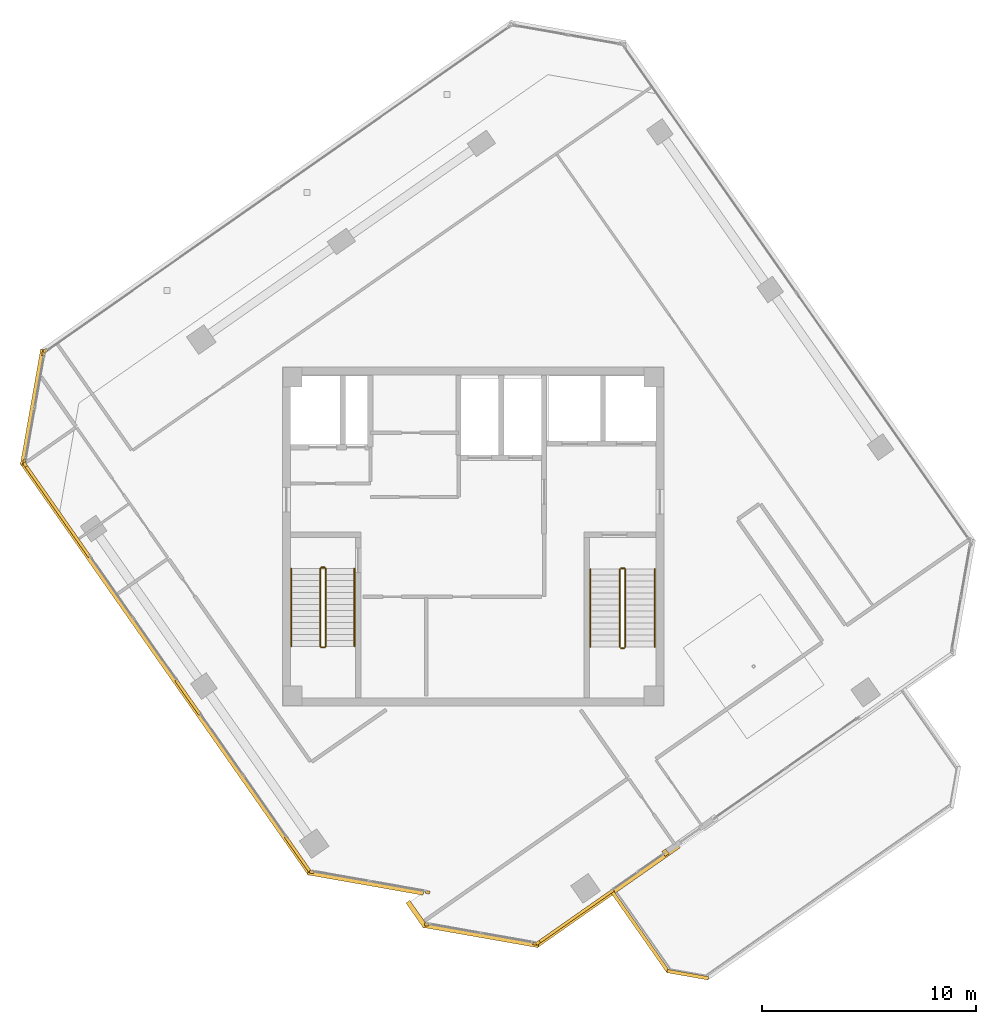
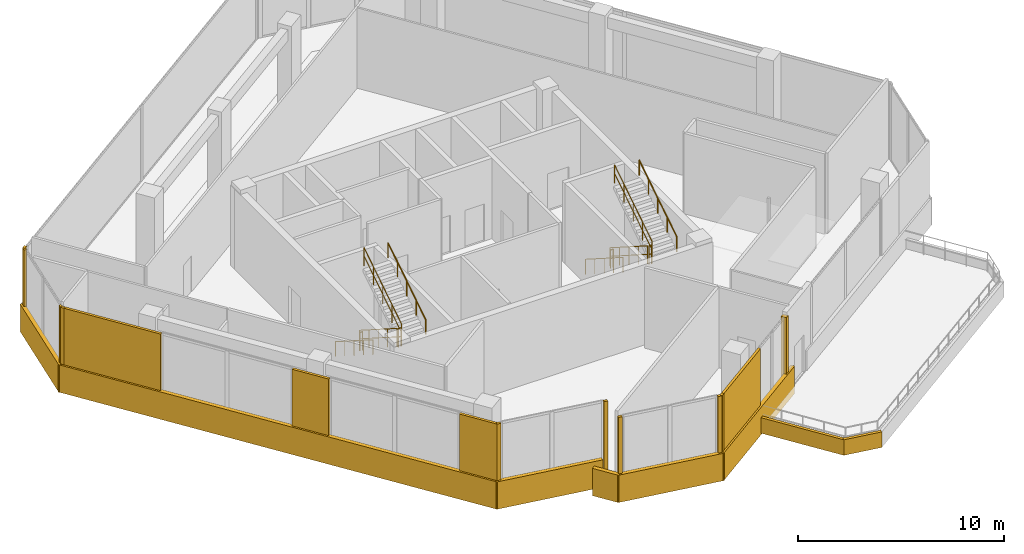
# One storey, part 14 of 16: 22 coverings, 12 railings.
"""IFC4 building model written with IfcOpenShell, lengths in metres."""

from ifc_helpers import new_model, si_unit, direction, frame, origin, origin_2d, place, context, subcontext, project, spatial, rectangle, circle, extrude, source, transform, mapped, material, layer, layer_set, type_object, element, save


model = new_model("IFC4")

# Units and contexts
model_context = context("Model", 3, precision=1e-05, world=origin(), true_north=direction((0.0, 1.0)))
body_context = subcontext(model_context, "Body", "Model", "MODEL_VIEW")
ifc_project = project(units=[si_unit("LENGTHUNIT", "METRE"), si_unit("AREAUNIT", "SQUARE_METRE"), si_unit("VOLUMEUNIT", "CUBIC_METRE"), si_unit("PLANEANGLEUNIT", "RADIAN"), si_unit("MASSUNIT", "GRAM", prefix="KILO")], contexts=[model_context])

# Site, building, storey
site_placement = place(None, origin())
site = spatial("IfcSite", under=ifc_project, at=site_placement, CompositionType="ELEMENT")
building_placement = place(site_placement, origin())
building = spatial("IfcBuilding", under=site, at=building_placement, Name="Torre Montelarca", CompositionType="ELEMENT")
storey_placement = place(building_placement, frame((0.0, 0.0, 293.800048828125)))
storey = spatial("IfcBuildingStorey", under=building, at=storey_placement, Name="L66", CompositionType="ELEMENT", Elevation=293.800048828125)

# Railings
ifc_material_1 = material(Name="Powder-coated steel ASTM A500 Grade C", Category="steel")
railing_type_1 = type_object("IfcRailingType", Name="RL-GUARD-1100", PredefinedType="BALUSTRADE", material=ifc_material_1)
railing_1_placement = place(storey_placement, frame((10.85009765625, 30.5, 0.178466796875)))
element("IfcRailing", 1, at=railing_1_placement, inside=storey, type_object=railing_type_1, Name="L66 ST1 stair guard 1", PredefinedType="BALUSTRADE", context=body_context, shape_type="SweptSolid", body=[
    extrude(circle(Radius=0.02392578125, at=origin_2d()), frame((0.0, 0.0, 1.076171875), z_axis=(0.0, -0.843111507901, 0.53773877045), x_axis=(1.0, 0.0, 0.0)), (0.0, 0.0, 1.0), 4.317138671875),
    extrude(circle(Radius=0.02099609375, at=origin_2d()), frame((0.0, 0.0, 0.572021484375), z_axis=(0.0, -0.843111507901, 0.53773877045), x_axis=(1.0, 0.0, 0.0)), (0.0, 0.0, 1.0), 4.317138671875),
    extrude(circle(Radius=0.02099609375, at=origin_2d()), origin(), (0.0, 0.0, 1.0), 1.052001953125),
    extrude(circle(Radius=0.02099609375, at=origin_2d()), frame((0.0, -0.909912109375, 0.580322265625)), (0.0, 0.0, 1.0), 1.052001953125),
    extrude(circle(Radius=0.02099609375, at=origin_2d()), frame((0.0, -1.81982421875, 1.16064453125)), (0.0, 0.0, 1.0), 1.052001953125),
    extrude(circle(Radius=0.02099609375, at=origin_2d()), frame((0.0, -2.72998046875, 1.7412109375)), (0.0, 0.0, 1.0), 1.052001953125),
    extrude(circle(Radius=0.02099609375, at=origin_2d()), frame((0.0, -3.639892578125, 2.321533203125)), (0.0, 0.0, 1.0), 1.052001953125),
])
railing_2_placement = place(storey_placement, frame((10.89990234375, 26.81005859375, 2.5)))
element("IfcRailing", 2, at=railing_2_placement, inside=storey, type_object=railing_type_1, Name="L66 ST1 stair guard 2", PredefinedType="BALUSTRADE", context=body_context, shape_type="SweptSolid", body=[
    extrude(circle(Radius=0.02392578125, at=origin_2d()), frame((0.0, 0.0, 1.076171875), z_axis=(1.0, 0.0, 0.0), x_axis=(0.0, 1.0, 0.0)), (0.0, 0.0, 1.0), 0.150146484375),
    extrude(circle(Radius=0.02099609375, at=origin_2d()), frame((0.0, 0.0, 0.572021484375), z_axis=(1.0, 0.0, 0.0), x_axis=(0.0, 1.0, 0.0)), (0.0, 0.0, 1.0), 0.150146484375),
    extrude(circle(Radius=0.02099609375, at=origin_2d()), origin(), (0.0, 0.0, 1.0), 1.052001953125),
    extrude(circle(Radius=0.02099609375, at=origin_2d()), frame((0.150146484375, 0.0, 0.0)), (0.0, 0.0, 1.0), 1.052001953125),
])
railing_3_placement = place(storey_placement, frame((11.10009765625, 26.860107421875, 2.678466796875)))
element("IfcRailing", 3, at=railing_3_placement, inside=storey, type_object=railing_type_1, Name="L66 ST1 stair guard 3", PredefinedType="BALUSTRADE", context=body_context, shape_type="SweptSolid", body=[
    extrude(circle(Radius=0.02392578125, at=origin_2d()), frame((0.0, 0.0, 1.076171875), z_axis=(0.0, 0.843111507901, 0.53773877045), x_axis=(-1.0, 0.0, 0.0)), (0.0, 0.0, 1.0), 4.317138671875),
    extrude(circle(Radius=0.02099609375, at=origin_2d()), frame((0.0, 0.0, 0.572021484375), z_axis=(0.0, 0.843111507901, 0.53773877045), x_axis=(-1.0, 0.0, 0.0)), (0.0, 0.0, 1.0), 4.317138671875),
    extrude(circle(Radius=0.02099609375, at=origin_2d()), origin(), (0.0, 0.0, 1.0), 1.052001953125),
    extrude(circle(Radius=0.02099609375, at=origin_2d()), frame((0.0, 0.909912109375, 0.580322265625)), (0.0, 0.0, 1.0), 1.052001953125),
    extrude(circle(Radius=0.02099609375, at=origin_2d()), frame((0.0, 1.81982421875, 1.16064453125)), (0.0, 0.0, 1.0), 1.052001953125),
    extrude(circle(Radius=0.02099609375, at=origin_2d()), frame((0.0, 2.72998046875, 1.7412109375)), (0.0, 0.0, 1.0), 1.052001953125),
    extrude(circle(Radius=0.02099609375, at=origin_2d()), frame((0.0, 3.639892578125, 2.321533203125)), (0.0, 0.0, 1.0), 1.052001953125),
])
railing_4_placement = place(storey_placement, frame((10.89990234375, 30.550048828125, 0.0)))
element("IfcRailing", 4, at=railing_4_placement, inside=storey, type_object=railing_type_1, Name="L66 ST1 stair guard 4", PredefinedType="BALUSTRADE", context=body_context, shape_type="SweptSolid", body=[
    extrude(circle(Radius=0.02392578125, at=origin_2d()), frame((0.0, 0.0, 1.076171875), z_axis=(1.0, 0.0, 0.0), x_axis=(0.0, 1.0, 0.0)), (0.0, 0.0, 1.0), 0.150146484375),
    extrude(circle(Radius=0.02099609375, at=origin_2d()), frame((0.0, 0.0, 0.572021484375), z_axis=(1.0, 0.0, 0.0), x_axis=(0.0, 1.0, 0.0)), (0.0, 0.0, 1.0), 0.150146484375),
    extrude(circle(Radius=0.02099609375, at=origin_2d()), origin(), (0.0, 0.0, 1.0), 1.052001953125),
    extrude(circle(Radius=0.02099609375, at=origin_2d()), frame((0.150146484375, 0.0, 0.0)), (0.0, 0.0, 1.0), 1.052001953125),
])
railing_5_placement = place(storey_placement, frame((24.8701171875, 30.469970703125, 0.178466796875)))
element("IfcRailing", 5, at=railing_5_placement, inside=storey, type_object=railing_type_1, Name="L66 ST2 stair guard 1", PredefinedType="BALUSTRADE", context=body_context, shape_type="SweptSolid", body=[
    extrude(circle(Radius=0.02392578125, at=origin_2d()), frame((0.0, 0.0, 1.076171875), z_axis=(0.0, -0.843111507901, 0.53773877045), x_axis=(1.0, 0.0, 0.0)), (0.0, 0.0, 1.0), 4.317138671875),
    extrude(circle(Radius=0.02099609375, at=origin_2d()), frame((0.0, 0.0, 0.572021484375), z_axis=(0.0, -0.843111507901, 0.53773877045), x_axis=(1.0, 0.0, 0.0)), (0.0, 0.0, 1.0), 4.317138671875),
    extrude(circle(Radius=0.02099609375, at=origin_2d()), origin(), (0.0, 0.0, 1.0), 1.052001953125),
    extrude(circle(Radius=0.02099609375, at=origin_2d()), frame((0.0, -0.909912109375, 0.580322265625)), (0.0, 0.0, 1.0), 1.052001953125),
    extrude(circle(Radius=0.02099609375, at=origin_2d()), frame((0.0, -1.81982421875, 1.16064453125)), (0.0, 0.0, 1.0), 1.052001953125),
    extrude(circle(Radius=0.02099609375, at=origin_2d()), frame((0.0, -2.72998046875, 1.7412109375)), (0.0, 0.0, 1.0), 1.052001953125),
    extrude(circle(Radius=0.02099609375, at=origin_2d()), frame((0.0, -3.639892578125, 2.321533203125)), (0.0, 0.0, 1.0), 1.052001953125),
])
railing_6_placement = place(storey_placement, frame((24.919921875, 26.780029296875, 2.5)))
element("IfcRailing", 6, at=railing_6_placement, inside=storey, type_object=railing_type_1, Name="L66 ST2 stair guard 2", PredefinedType="BALUSTRADE", context=body_context, shape_type="SweptSolid", body=[
    extrude(circle(Radius=0.02392578125, at=origin_2d()), frame((0.0, 0.0, 1.076171875), z_axis=(1.0, 0.0, 0.0), x_axis=(0.0, 1.0, 0.0)), (0.0, 0.0, 1.0), 0.150146484375),
    extrude(circle(Radius=0.02099609375, at=origin_2d()), frame((0.0, 0.0, 0.572021484375), z_axis=(1.0, 0.0, 0.0), x_axis=(0.0, 1.0, 0.0)), (0.0, 0.0, 1.0), 0.150146484375),
    extrude(circle(Radius=0.02099609375, at=origin_2d()), origin(), (0.0, 0.0, 1.0), 1.052001953125),
    extrude(circle(Radius=0.02099609375, at=origin_2d()), frame((0.150146484375, 0.0, 0.0)), (0.0, 0.0, 1.0), 1.052001953125),
])
railing_7_placement = place(storey_placement, frame((25.1201171875, 26.830078125, 2.678466796875)))
element("IfcRailing", 7, at=railing_7_placement, inside=storey, type_object=railing_type_1, Name="L66 ST2 stair guard 3", PredefinedType="BALUSTRADE", context=body_context, shape_type="SweptSolid", body=[
    extrude(circle(Radius=0.02392578125, at=origin_2d()), frame((0.0, 0.0, 1.076171875), z_axis=(0.0, 0.843111507901, 0.53773877045), x_axis=(-1.0, 0.0, 0.0)), (0.0, 0.0, 1.0), 4.317138671875),
    extrude(circle(Radius=0.02099609375, at=origin_2d()), frame((0.0, 0.0, 0.572021484375), z_axis=(0.0, 0.843111507901, 0.53773877045), x_axis=(-1.0, 0.0, 0.0)), (0.0, 0.0, 1.0), 4.317138671875),
    extrude(circle(Radius=0.02099609375, at=origin_2d()), origin(), (0.0, 0.0, 1.0), 1.052001953125),
    extrude(circle(Radius=0.02099609375, at=origin_2d()), frame((0.0, 0.909912109375, 0.580322265625)), (0.0, 0.0, 1.0), 1.052001953125),
    extrude(circle(Radius=0.02099609375, at=origin_2d()), frame((0.0, 1.81982421875, 1.16064453125)), (0.0, 0.0, 1.0), 1.052001953125),
    extrude(circle(Radius=0.02099609375, at=origin_2d()), frame((0.0, 2.72998046875, 1.7412109375)), (0.0, 0.0, 1.0), 1.052001953125),
    extrude(circle(Radius=0.02099609375, at=origin_2d()), frame((0.0, 3.639892578125, 2.321533203125)), (0.0, 0.0, 1.0), 1.052001953125),
])
railing_8_placement = place(storey_placement, frame((24.919921875, 30.52001953125, 0.0)))
element("IfcRailing", 8, at=railing_8_placement, inside=storey, type_object=railing_type_1, Name="L66 ST2 stair guard 4", PredefinedType="BALUSTRADE", context=body_context, shape_type="SweptSolid", body=[
    extrude(circle(Radius=0.02392578125, at=origin_2d()), frame((0.0, 0.0, 1.076171875), z_axis=(1.0, 0.0, 0.0), x_axis=(0.0, 1.0, 0.0)), (0.0, 0.0, 1.0), 0.150146484375),
    extrude(circle(Radius=0.02099609375, at=origin_2d()), frame((0.0, 0.0, 0.572021484375), z_axis=(1.0, 0.0, 0.0), x_axis=(0.0, 1.0, 0.0)), (0.0, 0.0, 1.0), 0.150146484375),
    extrude(circle(Radius=0.02099609375, at=origin_2d()), origin(), (0.0, 0.0, 1.0), 1.052001953125),
    extrude(circle(Radius=0.02099609375, at=origin_2d()), frame((0.150146484375, 0.0, 0.0)), (0.0, 0.0, 1.0), 1.052001953125),
])
ifc_material_2 = material(Name="Brushed stainless steel AISI 316", Category="steel")
railing_type_2 = type_object("IfcRailingType", Name="RL-HANDRAIL-900", PredefinedType="HANDRAIL", material=ifc_material_2)
railing_9_placement = place(storey_placement, frame((9.5, 30.5, 0.178466796875)))
element("IfcRailing", 9, at=railing_9_placement, inside=storey, type_object=railing_type_2, Name="L66 ST1 stair handrail 1", PredefinedType="HANDRAIL", context=body_context, shape_type="SweptSolid", body=[
    extrude(circle(Radius=0.02392578125, at=origin_2d()), frame((0.0, 0.0, 0.8759765625), z_axis=(0.0, -0.843111507901, 0.53773877045), x_axis=(1.0, 0.0, 0.0)), (0.0, 0.0, 1.0), 4.317138671875),
    extrude(circle(Radius=0.02099609375, at=origin_2d()), origin(), (0.0, 0.0, 1.0), 0.851806640625),
    extrude(circle(Radius=0.02099609375, at=origin_2d()), frame((0.0, -0.909912109375, 0.580322265625)), (0.0, 0.0, 1.0), 0.851806640625),
    extrude(circle(Radius=0.02099609375, at=origin_2d()), frame((0.0, -1.81982421875, 1.16064453125)), (0.0, 0.0, 1.0), 0.851806640625),
    extrude(circle(Radius=0.02099609375, at=origin_2d()), frame((0.0, -2.72998046875, 1.7412109375)), (0.0, 0.0, 1.0), 0.851806640625),
    extrude(circle(Radius=0.02099609375, at=origin_2d()), frame((0.0, -3.639892578125, 2.321533203125)), (0.0, 0.0, 1.0), 0.851806640625),
])
railing_10_placement = place(storey_placement, frame((12.449951171875, 26.860107421875, 2.678466796875)))
element("IfcRailing", 10, at=railing_10_placement, inside=storey, type_object=railing_type_2, Name="L66 ST1 stair handrail 2", PredefinedType="HANDRAIL", context=body_context, shape_type="SweptSolid", body=[
    extrude(circle(Radius=0.02392578125, at=origin_2d()), frame((0.0, 0.0, 0.8759765625), z_axis=(0.0, 0.843111507901, 0.53773877045), x_axis=(-1.0, 0.0, 0.0)), (0.0, 0.0, 1.0), 4.317138671875),
    extrude(circle(Radius=0.02099609375, at=origin_2d()), origin(), (0.0, 0.0, 1.0), 0.851806640625),
    extrude(circle(Radius=0.02099609375, at=origin_2d()), frame((0.0, 0.909912109375, 0.580322265625)), (0.0, 0.0, 1.0), 0.851806640625),
    extrude(circle(Radius=0.02099609375, at=origin_2d()), frame((0.0, 1.81982421875, 1.16064453125)), (0.0, 0.0, 1.0), 0.851806640625),
    extrude(circle(Radius=0.02099609375, at=origin_2d()), frame((0.0, 2.72998046875, 1.7412109375)), (0.0, 0.0, 1.0), 0.851806640625),
    extrude(circle(Radius=0.02099609375, at=origin_2d()), frame((0.0, 3.639892578125, 2.321533203125)), (0.0, 0.0, 1.0), 0.851806640625),
])
railing_11_placement = place(storey_placement, frame((23.489990234375, 30.469970703125, 0.178466796875)))
element("IfcRailing", 11, at=railing_11_placement, inside=storey, type_object=railing_type_2, Name="L66 ST2 stair handrail 1", PredefinedType="HANDRAIL", context=body_context, shape_type="SweptSolid", body=[
    extrude(circle(Radius=0.02392578125, at=origin_2d()), frame((0.0, 0.0, 0.8759765625), z_axis=(0.0, -0.843111507901, 0.53773877045), x_axis=(1.0, 0.0, 0.0)), (0.0, 0.0, 1.0), 4.317138671875),
    extrude(circle(Radius=0.02099609375, at=origin_2d()), origin(), (0.0, 0.0, 1.0), 0.851806640625),
    extrude(circle(Radius=0.02099609375, at=origin_2d()), frame((0.0, -0.909912109375, 0.580322265625)), (0.0, 0.0, 1.0), 0.851806640625),
    extrude(circle(Radius=0.02099609375, at=origin_2d()), frame((0.0, -1.81982421875, 1.16064453125)), (0.0, 0.0, 1.0), 0.851806640625),
    extrude(circle(Radius=0.02099609375, at=origin_2d()), frame((0.0, -2.72998046875, 1.7412109375)), (0.0, 0.0, 1.0), 0.851806640625),
    extrude(circle(Radius=0.02099609375, at=origin_2d()), frame((0.0, -3.639892578125, 2.321533203125)), (0.0, 0.0, 1.0), 0.851806640625),
])
railing_12_placement = place(storey_placement, frame((26.5, 26.830078125, 2.678466796875)))
element("IfcRailing", 12, at=railing_12_placement, inside=storey, type_object=railing_type_2, Name="L66 ST2 stair handrail 2", PredefinedType="HANDRAIL", context=body_context, shape_type="SweptSolid", body=[
    extrude(circle(Radius=0.02392578125, at=origin_2d()), frame((0.0, 0.0, 0.8759765625), z_axis=(0.0, 0.843111507901, 0.53773877045), x_axis=(-1.0, 0.0, 0.0)), (0.0, 0.0, 1.0), 4.317138671875),
    extrude(circle(Radius=0.02099609375, at=origin_2d()), origin(), (0.0, 0.0, 1.0), 0.851806640625),
    extrude(circle(Radius=0.02099609375, at=origin_2d()), frame((0.0, 0.909912109375, 0.580322265625)), (0.0, 0.0, 1.0), 0.851806640625),
    extrude(circle(Radius=0.02099609375, at=origin_2d()), frame((0.0, 1.81982421875, 1.16064453125)), (0.0, 0.0, 1.0), 0.851806640625),
    extrude(circle(Radius=0.02099609375, at=origin_2d()), frame((0.0, 2.72998046875, 1.7412109375)), (0.0, 0.0, 1.0), 0.851806640625),
    extrude(circle(Radius=0.02099609375, at=origin_2d()), frame((0.0, 3.639892578125, 2.321533203125)), (0.0, 0.0, 1.0), 0.851806640625),
])

# Coverings
ifc_material_3 = material(Name="Bush-hammered warm white precast concrete C45/55", Category="concrete")
ifc_layer = layer(ifc_material_3, 0.139892578125, Name="Bush-hammered warm white precast concrete C45/55", Category="concrete")
ifc_layer_set = layer_set([ifc_layer], Name="Bush-hammered warm white precast concrete C45/55")
covering_type = type_object("IfcCoveringType", Name="COV-TRAY-CLAD", PredefinedType="CLADDING", material=ifc_layer_set)
shared_shape_1 = source(origin(), body_context, "Body", "SweptSolid", [
    extrude(rectangle(XDim=4.530029296875, YDim=0.159912109375, at=origin_2d()), origin(), (0.0, 0.0, 1.0), 0.919921875),
])
covering_1_placement = place(storey_placement, frame((25.829345703125, 13.490966796875, -0.360107421875), z_axis=(0.0, 0.0, 1.0), x_axis=(0.573560709655, -0.819163056015, 0.0)))
element("IfcCovering", 13, at=covering_1_placement, inside=storey, type_object=covering_type, Name="L66 Architectural White Spandrel Tray Band TERBND1-01", PredefinedType="CLADDING", context=body_context, shape_type="MappedRepresentation", body=[
    mapped(shared_shape_1, transform((0.0, 0.0, 0.0), scale=1.0)),
])
shared_shape_2 = source(origin(), body_context, "Body", "SweptSolid", [
    extrude(rectangle(XDim=1.95849609375, YDim=0.159912109375, at=origin_2d()), origin(), (0.0, 0.0, 1.0), 0.919921875),
])
covering_2_placement = place(storey_placement, frame((28.04443359375, 11.49609375, -0.360107421875), z_axis=(0.0, 0.0, 1.0), x_axis=(0.984803812807, -0.173670522201, 0.0)))
element("IfcCovering", 14, at=covering_2_placement, inside=storey, type_object=covering_type, Name="L66 Architectural White Spandrel Tray Band TERBND1-02", PredefinedType="CLADDING", context=body_context, shape_type="MappedRepresentation", body=[
    mapped(shared_shape_2, transform((0.0, 0.0, 0.0), scale=1.0)),
])
shared_shape_3 = source(origin(), body_context, "Body", "SweptSolid", [
    extrude(rectangle(XDim=0.199951171875, YDim=0.139892578125, at=origin_2d()), origin(), (0.0, 0.0, 1.0), 4.52001953125),
])
for number, where, z_axis, x_axis, name in (
    (15, (-2.9619140625, 35.361328125, 0.0), (0.0, 0.0, 1.0), (0.573572147273, -0.819155047517, 0.0), "L66 Architectural Column Pier Cladding E01-1"),
    (16, (10.449462890625, 16.304931640625, 0.0), (0.0, 0.0, 1.0), (0.984806843779, -0.173653334106, 0.0), "L66 Architectural Column Pier Cladding E02-1"),
    (17, (15.875732421875, 15.34814453125, 0.0), (0.0, 0.0, 1.0), (0.984806843779, -0.173653334106, 0.0), "L66 Architectural Column Pier Cladding E02-2"),
    (18, (15.83203125, 13.847900390625, 0.0), (0.0, 0.0, 1.0), (0.984808056084, -0.173646458853, 0.0), "L66 Architectural Column Pier Cladding E05-1"),
    (19, (20.896240234375, 12.955078125, 0.0), (0.0, 0.0, 1.0), (0.984808056084, -0.173646458853, 0.0), "L66 Architectural Column Pier Cladding E05-2"),
    (20, (21.037841796875, 12.986572265625, 0.0), (0.0, 0.0, 1.0), (0.819156048588, 0.573570717577, 0.0), "L66 Architectural Column Pier Cladding E06-1"),
    (21, (-2.022216796875, 40.689697265625, 0.0), (0.0, 0.0, 1.0), (-0.819153045367, -0.57357500666, 0.0), "L66 Architectural Column Pier Cladding E10-2"),
    (22, (-2.100341796875, 40.567138671875, 0.0), (0.0, 0.0, 1.0), (-0.173646458853, -0.984808056084, 0.0), "L66 Architectural Column Pier Cladding E11-1"),
    (23, (-2.9931640625, 35.503173828125, 0.0), (0.0, 0.0, 1.0), (-0.173646458853, -0.984808056084, 0.0), "L66 Architectural Column Pier Cladding E11-2"),
):
    element("IfcCovering", number, at=place(storey_placement, frame(where, z_axis=z_axis, x_axis=x_axis)), inside=storey, type_object=covering_type, Name=name, PredefinedType="CLADDING", context=body_context, shape_type="MappedRepresentation", body=[
        mapped(shared_shape_3, transform((0.0, 0.0, 0.0), scale=1.0)),
    ])
shared_shape_4 = source(origin(), body_context, "Body", "SweptSolid", [
    extrude(rectangle(XDim=5.26416015625, YDim=0.139892578125, at=origin_2d()), origin(), (0.0, 0.0, 1.0), 4.52001953125),
])
covering_3_placement = place(storey_placement, frame((-1.4521484375, 33.205322265625, 0.0), z_axis=(0.0, 0.0, 1.0), x_axis=(0.573572147273, -0.819155047517, 0.0)))
element("IfcCovering", 24, at=covering_3_placement, inside=storey, type_object=covering_type, Name="L66 Architectural Column Pier Cladding E01-2", PredefinedType="CLADDING", context=body_context, shape_type="MappedRepresentation", body=[
    mapped(shared_shape_4, transform((0.0, 0.0, 0.0), scale=1.0)),
])
shared_shape_5 = source(origin(), body_context, "Body", "SweptSolid", [
    extrude(rectangle(XDim=1.9599609375, YDim=0.139892578125, at=origin_2d()), origin(), (0.0, 0.0, 1.0), 4.52001953125),
])
covering_4_placement = place(storey_placement, frame((4.65771484375, 24.4794921875, 0.0), z_axis=(0.0, 0.0, 1.0), x_axis=(0.573572147273, -0.819155047517, 0.0)))
element("IfcCovering", 25, at=covering_4_placement, inside=storey, type_object=covering_type, Name="L66 Architectural Column Pier Cladding E01-3", PredefinedType="CLADDING", context=body_context, shape_type="MappedRepresentation", body=[
    mapped(shared_shape_5, transform((0.0, 0.0, 0.0), scale=1.0)),
])
shared_shape_6 = source(origin(), body_context, "Body", "SweptSolid", [
    extrude(rectangle(XDim=2.01416015625, YDim=0.139892578125, at=origin_2d()), origin(), (0.0, 0.0, 1.0), 4.52001953125),
])
covering_5_placement = place(storey_placement, frame((9.806640625, 17.1259765625, 0.0), z_axis=(0.0, 0.0, 1.0), x_axis=(0.573572147273, -0.819155047517, 0.0)))
element("IfcCovering", 26, at=covering_5_placement, inside=storey, type_object=covering_type, Name="L66 Architectural Column Pier Cladding E01-4", PredefinedType="CLADDING", context=body_context, shape_type="MappedRepresentation", body=[
    mapped(shared_shape_6, transform((0.0, 0.0, 0.0), scale=1.0)),
])
shared_shape_7 = source(origin(), body_context, "Body", "SweptSolid", [
    extrude(rectangle(XDim=0.219970703125, YDim=0.280029296875, at=origin_2d()), origin(), (0.0, 0.0, 1.0), 4.52001953125),
])
covering_6_placement = place(storey_placement, frame((26.994873046875, 17.206298828125, 0.0), z_axis=(0.0, 0.0, 1.0), x_axis=(0.819156048588, 0.573570717577, 0.0)))
element("IfcCovering", 27, at=covering_6_placement, inside=storey, type_object=covering_type, Name="L66 Terrace Portal Jamb Closure Mullion E06-A", PredefinedType="CLADDING", context=body_context, shape_type="MappedRepresentation", body=[
    mapped(shared_shape_7, transform((0.0, 0.0, 0.0), scale=1.0)),
])
shared_shape_8 = source(origin(), body_context, "Body", "SweptSolid", [
    extrude(rectangle(XDim=4.314208984375, YDim=0.139892578125, at=origin_2d()), origin(), (0.0, 0.0, 1.0), 4.52001953125),
])
covering_7_placement = place(storey_placement, frame((22.804931640625, 14.223876953125, 0.0), z_axis=(0.0, 0.0, 1.0), x_axis=(0.819156048588, 0.573570717577, 0.0)))
element("IfcCovering", 28, at=covering_7_placement, inside=storey, type_object=covering_type, Name="L66 Architectural Column Pier Cladding E06-2", PredefinedType="CLADDING", context=body_context, shape_type="MappedRepresentation", body=[
    mapped(shared_shape_8, transform((0.0, 0.0, 0.0), scale=1.0)),
])
shared_shape_9 = source(origin(), body_context, "Body", "SweptSolid", [
    extrude(rectangle(XDim=23.52001953125, YDim=0.219970703125, at=origin_2d()), origin(), (0.0, 0.0, 1.0), 1.6201171875),
])
covering_8_placement = place(storey_placement, frame((3.63330078125, 25.837646484375, -0.4501953125), z_axis=(0.0, 0.0, 1.0), x_axis=(0.573576436351, -0.819152044289, 0.0)))
element("IfcCovering", 29, at=covering_8_placement, inside=storey, type_object=covering_type, Name="L66 Architectural White Spandrel Tray Band TRYBOT-01", PredefinedType="CLADDING", context=body_context, shape_type="MappedRepresentation", body=[
    mapped(shared_shape_9, transform((0.0, 0.0, 0.0), scale=1.0)),
])
shared_shape_10 = source(origin(), body_context, "Body", "SweptSolid", [
    extrude(rectangle(XDim=5.493896484375, YDim=0.219970703125, at=origin_2d()), origin(), (0.0, 0.0, 1.0), 1.6201171875),
])
for number, where, z_axis, x_axis, name in (
    (30, (12.97119140625, 15.79931640625, -0.4501953125), (0.0, 0.0, 1.0), (0.984806843779, -0.173653334106, 0.0), "L66 Architectural White Spandrel Tray Band TRYBOT-02"),
    (31, (18.353759765625, 13.34228515625, -0.4501953125), (0.0, 0.0, 1.0), (0.984806843779, -0.173653334106, 0.0), "L66 Architectural White Spandrel Tray Band TRYBOT-05"),
    (32, (-2.60595703125, 38.04541015625, -0.4501953125), (0.0, 0.0, 1.0), (-0.173653334106, -0.984806843779, 0.0), "L66 Architectural White Spandrel Tray Band TRYBOT-11"),
):
    element("IfcCovering", number, at=place(storey_placement, frame(where, z_axis=z_axis, x_axis=x_axis)), inside=storey, type_object=covering_type, Name=name, PredefinedType="CLADDING", context=body_context, shape_type="MappedRepresentation", body=[
        mapped(shared_shape_10, transform((0.0, 0.0, 0.0), scale=1.0)),
    ])
shared_shape_11 = source(origin(), body_context, "Body", "SweptSolid", [
    extrude(rectangle(XDim=1.419921875, YDim=0.219970703125, at=origin_2d()), origin(), (0.0, 0.0, 1.0), 1.6201171875),
])
covering_9_placement = place(storey_placement, frame((15.35400390625, 14.3291015625, -0.4501953125), z_axis=(0.0, 0.0, 1.0), x_axis=(0.573602170488, -0.81913402445, 0.0)))
element("IfcCovering", 33, at=covering_9_placement, inside=storey, type_object=covering_type, Name="L66 Architectural White Spandrel Tray Band TRYBOT-04", PredefinedType="CLADDING", context=body_context, shape_type="MappedRepresentation", body=[
    mapped(shared_shape_11, transform((0.0, 0.0, 0.0), scale=1.0)),
])
shared_shape_12 = source(origin(), body_context, "Body", "SweptSolid", [
    extrude(rectangle(XDim=8.176025390625, YDim=0.219970703125, at=origin_2d()), origin(), (0.0, 0.0, 1.0), 1.6201171875),
])
covering_10_placement = place(storey_placement, frame((24.277099609375, 15.18115234375, -0.4501953125), z_axis=(0.0, 0.0, 1.0), x_axis=(0.819154046443, 0.573573576968, 0.0)))
element("IfcCovering", 34, at=covering_10_placement, inside=storey, type_object=covering_type, Name="L66 Architectural White Spandrel Tray Band TRYBOT-06A", PredefinedType="CLADDING", context=body_context, shape_type="MappedRepresentation", body=[
    mapped(shared_shape_12, transform((0.0, 0.0, 0.0), scale=1.0)),
])

save(model, "model.ifc")
